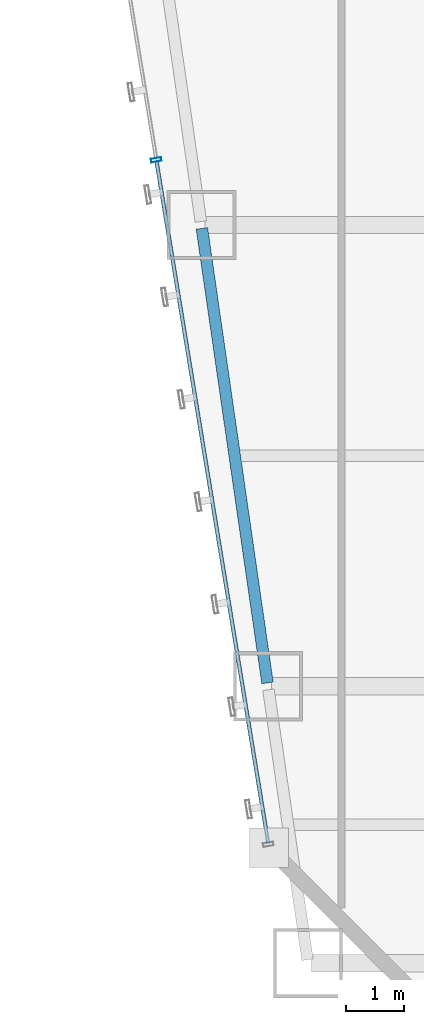
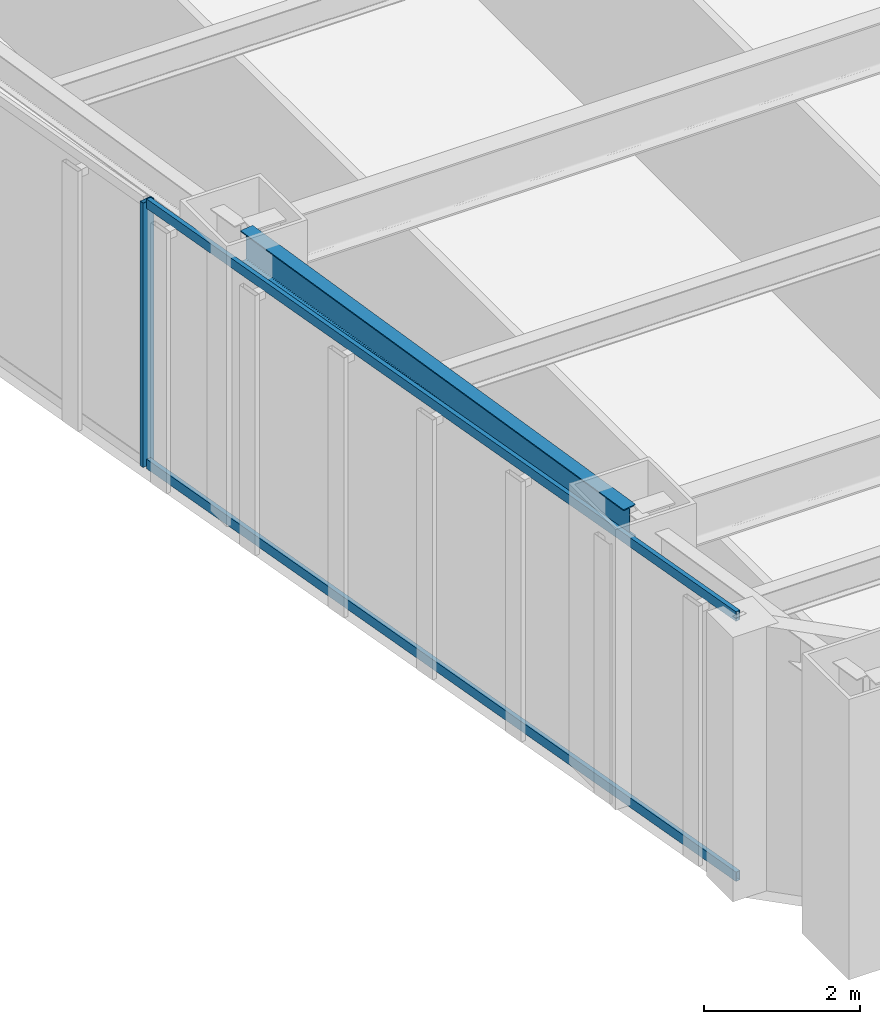
# One storey, part 5 of 47: 3 members, 1 beam, 1 element without a shape of its own.
"""IFC4 building model written with IfcOpenShell, lengths in metres."""

from ifc_helpers import new_model, si_unit, direction, frame, origin, origin_2d, place, context, subcontext, project, spatial, hollow_rectangle, i_section, extrude, material, material_profile, profile_set, type_object, element, aggregate, save


model = new_model("IFC4")

# Units and contexts
model_context = context("Model", 3, precision=1e-05, world=origin(), true_north=direction((0.0, 1.0)))
body_context = subcontext(model_context, "Body", "Model", "MODEL_VIEW")
ifc_project = project(units=[si_unit("LENGTHUNIT", "METRE"), si_unit("AREAUNIT", "SQUARE_METRE"), si_unit("VOLUMEUNIT", "CUBIC_METRE"), si_unit("PLANEANGLEUNIT", "RADIAN"), si_unit("MASSUNIT", "GRAM", prefix="KILO")], contexts=[model_context])

# Site, building, storey
site_placement = place(None, origin())
site = spatial("IfcSite", under=ifc_project, at=site_placement, CompositionType="ELEMENT")
building_placement = place(site_placement, origin())
building = spatial("IfcBuilding", under=site, at=building_placement, Name="Saevonmaru Cultural Tower", CompositionType="ELEMENT")
storey_placement = place(building_placement, frame((0.0, 0.0, 51.60009765625)))
storey = spatial("IfcBuildingStorey", under=building, at=storey_placement, Name="L10", CompositionType="ELEMENT", Elevation=51.60009765625)

# Beam
ifc_material_1 = material(Name="Steel SM355", Category="steel")
ifc_material_profile_1 = material_profile(ifc_material_1, i_section(OverallWidth=0.199951171875, OverallDepth=0.5, WebThickness=0.010009765625, FlangeThickness=0.01611328125, FilletRadius=0.02001953125, at=origin_2d()), Name="H-500x200x10x16")
ifc_profile_set_1 = profile_set([ifc_material_profile_1], Name="Steel SM355")
beam_type = type_object("IfcBeamType", Name="BM-SP-H500", PredefinedType="SPANDREL", material=ifc_profile_set_1)
beam_placement = place(storey_placement, frame((11.7744140625, 8.059326171875, 3.89990234375), z_axis=(-0.142871999001, 0.989741174197, 0.0), x_axis=(-0.989741174197, -0.142871999001, 0.0)))
element("IfcBeam", 1, at=beam_placement, inside=storey, type_object=beam_type, Name="L10 West Splayed Spandrel 2", PredefinedType="SPANDREL", context=body_context, shape_type="SweptSolid", body=[
    extrude(i_section(OverallWidth=0.199951171875, OverallDepth=0.5, WebThickness=0.010009765625, FlangeThickness=0.01611328125, FilletRadius=0.02001953125, at=origin_2d()), origin(), (0.0, 0.0, 1.0), 7.963134765625),
])

# Curtain wall, members
ifc_material_2 = material(Name="Satin Bronze Anodised Aluminium", Category="aluminium")
curtain_wall_type = type_object("IfcCurtainWallType", Name="CW-TYP-A", PredefinedType="NOTDEFINED", material=ifc_material_2)
curtain_wall_placement = place(storey_placement, origin())
curtain_wall = element("IfcCurtainWall", 2, at=curtain_wall_placement, inside=storey, type_object=curtain_wall_type, Name="L10 Unitised Curtain Wall E12", PredefinedType="NOTDEFINED")
ifc_material_profile_2 = material_profile(ifc_material_2, hollow_rectangle(XDim=0.06494140625, YDim=0.179931640625, WallThickness=0.00390625, at=origin_2d()), Name="ALU-MULL-180x65x4")
ifc_profile_set_2 = profile_set([ifc_material_profile_2], Name="Satin Bronze Anodised Aluminium")
member_type_1 = type_object("IfcMemberType", Name="ML-CW-180x65", PredefinedType="MULLION", material=ifc_profile_set_2)
member_1_placement = place(storey_placement, frame((9.84521484375, 17.129638671875, 0.0), z_axis=(0.0, 0.0, 1.0), x_axis=(0.161708868641, -0.986838508472, 0.0)))
member_1 = element("IfcMember", 3, at=member_1_placement, type_object=member_type_1, Name="CW-TW-L10-E12 mullion 4", PredefinedType="MULLION", context=body_context, shape_type="SweptSolid", body=[
    extrude(hollow_rectangle(XDim=0.06494140625, YDim=0.179931640625, WallThickness=0.00390625, at=origin_2d()), origin(), (0.0, 0.0, 1.0), 4.14990234375),
])
ifc_material_profile_3 = material_profile(ifc_material_2, hollow_rectangle(XDim=0.06494140625, YDim=0.14990234375, WallThickness=0.00390625, at=origin_2d()), Name="ALU-TRAN-150x65x4")
ifc_profile_set_3 = profile_set([ifc_material_profile_3], Name="Satin Bronze Anodised Aluminium")
member_type_2 = type_object("IfcMemberType", Name="TR-CW-150x65", PredefinedType="USERDEFINED", material=ifc_profile_set_3)
member_2_placement = place(storey_placement, frame((9.850341796875, 17.097412109375, 0.032470703125), z_axis=(0.161724530373, -0.986835941925, 0.0), x_axis=(0.986835941925, 0.161724530373, 0.0)))
member_2 = element("IfcMember", 4, at=member_2_placement, type_object=member_type_2, Name="CW-TW-L10-E12 transom 4.1", ObjectType="TRANSOM", PredefinedType="USERDEFINED", context=body_context, shape_type="SweptSolid", body=[
    extrude(hollow_rectangle(XDim=0.06494140625, YDim=0.14990234375, WallThickness=0.00390625, at=origin_2d()), origin(), (0.0, 0.0, 1.0), 11.963623046875),
])
member_3_placement = place(storey_placement, frame((9.850341796875, 17.097412109375, 4.117431640625), z_axis=(0.161724530373, -0.986835941925, 0.0), x_axis=(0.986835941925, 0.161724530373, 0.0)))
member_3 = element("IfcMember", 5, at=member_3_placement, type_object=member_type_2, Name="CW-TW-L10-E12 transom 4.2", ObjectType="TRANSOM", PredefinedType="USERDEFINED", context=body_context, shape_type="SweptSolid", body=[
    extrude(hollow_rectangle(XDim=0.06494140625, YDim=0.14990234375, WallThickness=0.00390625, at=origin_2d()), origin(), (0.0, 0.0, 1.0), 11.963623046875),
])
aggregate(curtain_wall, [member_1, member_2, member_3])

save(model, "model.ifc")
